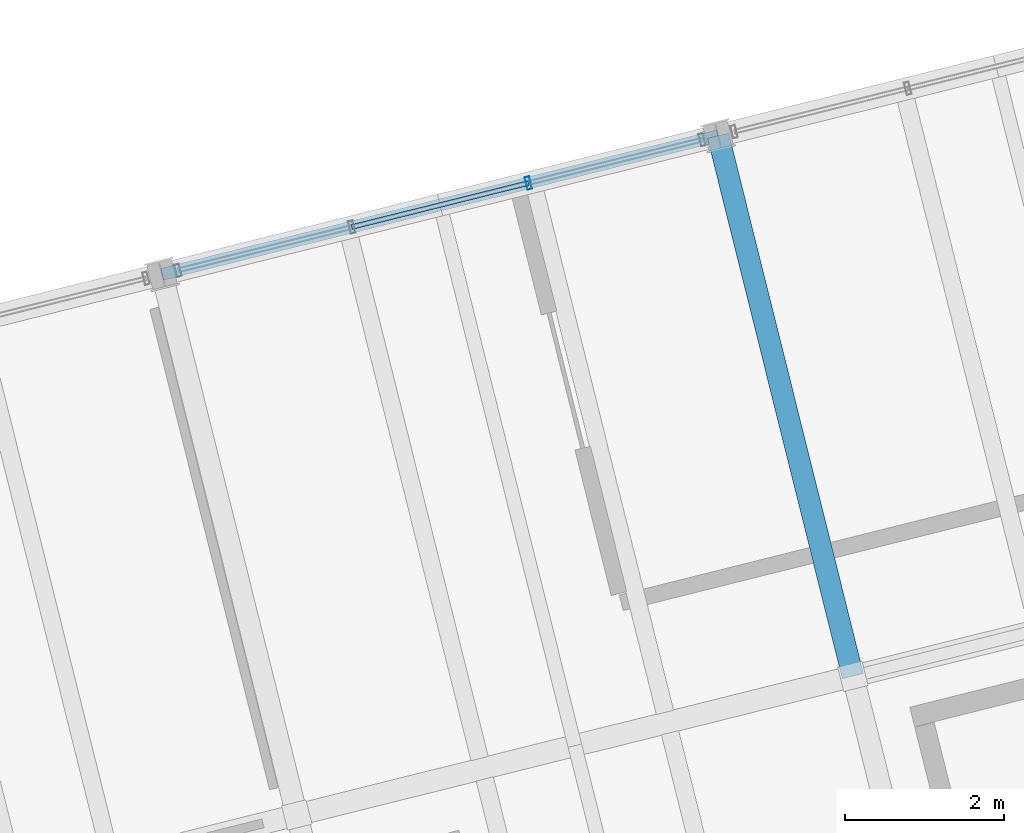
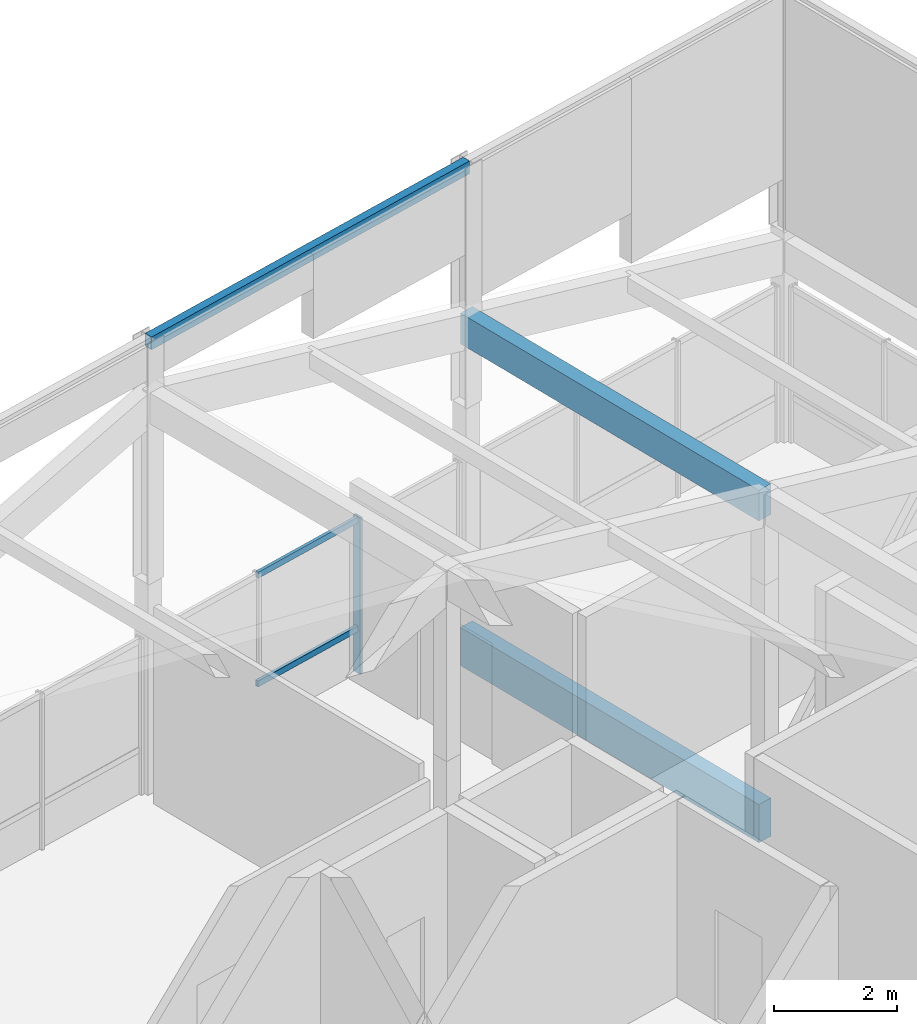
# One storey, part 21 of 31: 3 beams, 3 members, 1 element without a shape of its own.
"""IFC4 building model written with IfcOpenShell, lengths in metres."""

from ifc_helpers import new_model, si_unit, direction, frame, origin, origin_2d, place, context, subcontext, project, spatial, rectangle, hollow_rectangle, extrude, material, layer, layer_set, material_profile, profile_set, type_object, element, aggregate, save


model = new_model("IFC4")

# Units and contexts
model_context = context("Model", 3, precision=1e-05, world=origin(), true_north=direction((0.0, 1.0)))
body_context = subcontext(model_context, "Body", "Model", "MODEL_VIEW")
ifc_project = project(units=[si_unit("LENGTHUNIT", "METRE"), si_unit("AREAUNIT", "SQUARE_METRE"), si_unit("VOLUMEUNIT", "CUBIC_METRE"), si_unit("PLANEANGLEUNIT", "RADIAN"), si_unit("MASSUNIT", "GRAM", prefix="KILO")], contexts=[model_context])

# Site, building, storey
site_placement = place(None, origin())
site = spatial("IfcSite", under=ifc_project, at=site_placement, CompositionType="ELEMENT")
building_placement = place(site_placement, origin())
building = spatial("IfcBuilding", under=site, at=building_placement, Name="Meriwether Solvik Hall", CompositionType="ELEMENT")
storey_placement = place(building_placement, frame((0.0, 0.0, 61.199951171875)))
storey = spatial("IfcBuildingStorey", under=building, at=storey_placement, Name="L15", CompositionType="ELEMENT", Elevation=61.199951171875)

# Beams
ifc_material_1 = material(Name="Glulam Douglas-Fir 24F-V8 GL28h", Category="wood")
ifc_material_profile_1 = material_profile(ifc_material_1, rectangle(XDim=0.27294921875, YDim=0.610107421875, at=origin_2d()), Name="GLB-273X610")
ifc_profile_set_1 = profile_set([ifc_material_profile_1], Name="Glulam Douglas-Fir 24F-V8 GL28h")
beam_type_1 = type_object("IfcBeamType", Name="BM-GL-273X610", PredefinedType="SPANDREL", material=ifc_profile_set_1)
beam_1_placement = place(storey_placement, frame((84.8662109375, 66.8984375, 5.698974609375), z_axis=(-0.241936527961, 0.970292077901, 0.0), x_axis=(-0.970292077901, -0.241936527961, 0.0)))
element("IfcBeam", 1, at=beam_1_placement, inside=storey, type_object=beam_type_1, Name="Roof Tie Beam T4:TD-TE", PredefinedType="SPANDREL", context=body_context, shape_type="SweptSolid", body=[
    extrude(rectangle(XDim=0.27294921875, YDim=0.610107421875, at=origin_2d()), origin(), (0.0, 0.0, 1.0), 7.000244140625),
])
ifc_material_2 = material(Name="Glulam Douglas-Fir 24F-V8 GL28h", Category="wood")
ifc_material_profile_2 = material_profile(ifc_material_2, rectangle(XDim=0.27294921875, YDim=0.760009765625, at=origin_2d()), Name="GLB-273X760")
ifc_profile_set_2 = profile_set([ifc_material_profile_2], Name="Glulam Douglas-Fir 24F-V8 GL28h")
beam_type_2 = type_object("IfcBeamType", Name="BM-GL-273X760", PredefinedType="BEAM", material=ifc_profile_set_2)
beam_2_placement = place(storey_placement, frame((84.8662109375, 66.8984375, -0.625), z_axis=(-0.241936527961, 0.970292077901, 0.0), x_axis=(-0.970292077901, -0.241936527961, 0.0)))
element("IfcBeam", 2, at=beam_2_placement, inside=storey, type_object=beam_type_2, Name="Tower Girder T4:TD-TE (L15)", PredefinedType="BEAM", context=body_context, shape_type="SweptSolid", body=[
    extrude(rectangle(XDim=0.27294921875, YDim=0.760009765625, at=origin_2d()), origin(), (0.0, 0.0, 1.0), 7.000244140625),
])
ifc_material_3 = material(Name="Steel A500 Grade C", Category="steel")
ifc_material_profile_3 = material_profile(ifc_material_3, hollow_rectangle(XDim=0.152099609375, YDim=0.25390625, WallThickness=0.009521484375, at=origin_2d()), Name="HSS254X152X9.5")
ifc_profile_set_3 = profile_set([ifc_material_profile_3], Name="Steel A500 Grade C")
beam_type_3 = type_object("IfcBeamType", Name="BM-STL-HSS254", PredefinedType="SPANDREL", material=ifc_profile_set_3)
beam_3_placement = place(storey_placement, frame((83.172607421875, 73.690673828125, 8.873046875), z_axis=(-0.970291911955, -0.241937193493, 0.0), x_axis=(0.241937193493, -0.970291911955, 0.0)))
element("IfcBeam", 3, at=beam_3_placement, inside=storey, type_object=beam_type_3, Name="Crown Cap Ring Beam T4TE-T3TE", PredefinedType="SPANDREL", context=body_context, shape_type="SweptSolid", body=[
    extrude(hollow_rectangle(XDim=0.152099609375, YDim=0.25390625, WallThickness=0.009521484375, at=origin_2d()), origin(), (0.0, 0.0, 1.0), 7.199951171875),
])

# Curtain wall, members
ifc_material_4 = material(Name="Thermally Broken Anodised Aluminium 6063-T6 and Low-E Glass", Category="aluminium")
ifc_layer = layer(ifc_material_4, 0.179931640625)
ifc_layer_set = layer_set([ifc_layer], Name="Thermally Broken Anodised Aluminium 6063-T6 and Low-E Glass")
curtain_wall_type = type_object("IfcCurtainWallType", Name="CW-UNIT-C", PredefinedType="USERDEFINED", material=ifc_layer_set)
curtain_wall_placement = place(storey_placement, origin())
curtain_wall = element("IfcCurtainWall", 4, at=curtain_wall_placement, inside=storey, type_object=curtain_wall_type, Name="Curtain Wall E2_B2 (L15)", ObjectType="UNITISED CURTAIN WALL", PredefinedType="USERDEFINED")
ifc_material_5 = material(Name="Anodised Aluminium 6063-T6", Category="aluminium")
ifc_material_profile_4 = material_profile(ifc_material_5, hollow_rectangle(XDim=0.06005859375, YDim=0.159912109375, WallThickness=0.00390625, at=origin_2d()), Name="CWM-60X160")
ifc_profile_set_4 = profile_set([ifc_material_profile_4], Name="Anodised Aluminium 6063-T6")
member_type_1 = type_object("IfcMemberType", Name="CW-MUL-60X160", PredefinedType="MULLION", material=ifc_profile_set_4)
member_1_placement = place(storey_placement, frame((80.7890625, 73.09619140625, 0.0), z_axis=(0.0, 0.0, 1.0), x_axis=(0.970295730764, 0.241921877598, 0.0)))
member_1 = element("IfcMember", 5, at=member_1_placement, type_object=member_type_1, Name="Curtain Wall Mullion 3", PredefinedType="MULLION", context=body_context, shape_type="SweptSolid", body=[
    extrude(hollow_rectangle(XDim=0.06005859375, YDim=0.159912109375, WallThickness=0.00390625, at=origin_2d()), origin(), (0.0, 0.0, 1.0), 3.10205078125),
])
ifc_material_6 = material(Name="Anodised Aluminium 6063-T6", Category="aluminium")
ifc_material_profile_5 = material_profile(ifc_material_6, hollow_rectangle(XDim=0.06005859375, YDim=0.1201171875, WallThickness=0.00390625, at=origin_2d()), Name="CWT-60X120")
ifc_profile_set_5 = profile_set([ifc_material_profile_5], Name="Anodised Aluminium 6063-T6")
member_type_2 = type_object("IfcMemberType", Name="CW-TRN-60X120", PredefinedType="USERDEFINED", material=ifc_profile_set_5)
member_2_placement = place(storey_placement, frame((78.570068359375, 72.54296875, 0.880126953125), z_axis=(0.97029929005, 0.241907601634, 0.0), x_axis=(-0.241907601634, 0.97029929005, 0.0)))
member_2 = element("IfcMember", 6, at=member_2_placement, type_object=member_type_2, Name="Curtain Wall Transom 2-sill", ObjectType="TRANSOM", PredefinedType="USERDEFINED", context=body_context, shape_type="SweptSolid", body=[
    extrude(hollow_rectangle(XDim=0.06005859375, YDim=0.1201171875, WallThickness=0.00390625, at=origin_2d()), origin(), (0.0, 0.0, 1.0), 2.286865234375),
])
member_3_placement = place(storey_placement, frame((78.570068359375, 72.54296875, 3.0419921875), z_axis=(0.97029929005, 0.241907601634, 0.0), x_axis=(-0.241907601634, 0.97029929005, 0.0)))
member_3 = element("IfcMember", 7, at=member_3_placement, type_object=member_type_2, Name="Curtain Wall Transom 2-head", ObjectType="TRANSOM", PredefinedType="USERDEFINED", context=body_context, shape_type="SweptSolid", body=[
    extrude(hollow_rectangle(XDim=0.06005859375, YDim=0.1201171875, WallThickness=0.00390625, at=origin_2d()), origin(), (0.0, 0.0, 1.0), 2.286865234375),
])
aggregate(curtain_wall, [member_1, member_2, member_3])

save(model, "model.ifc")
